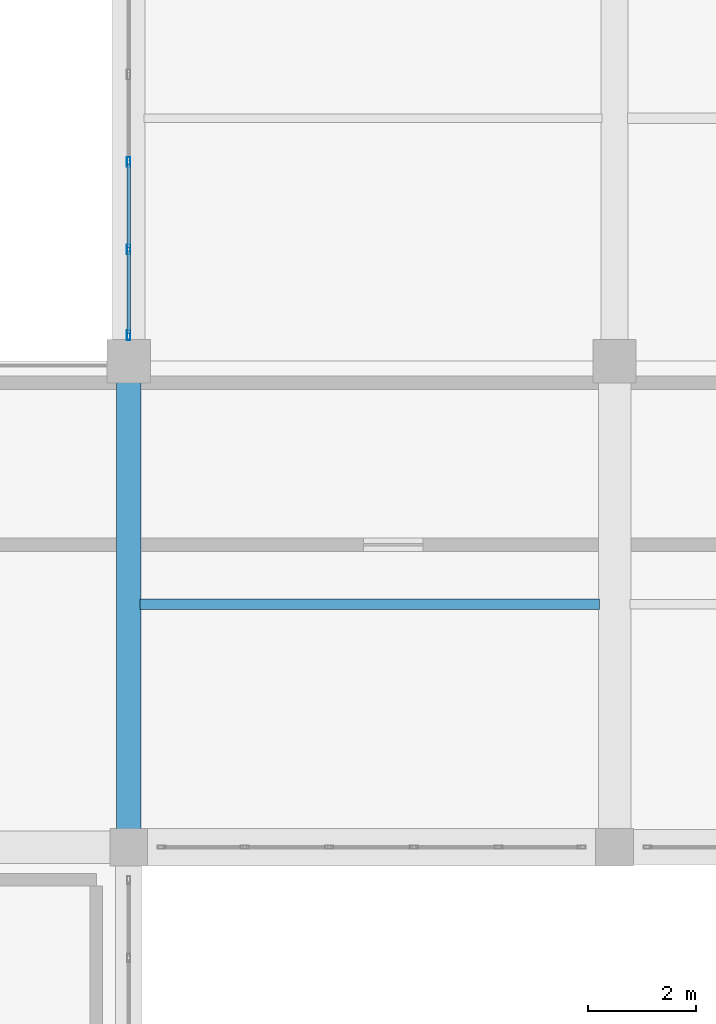
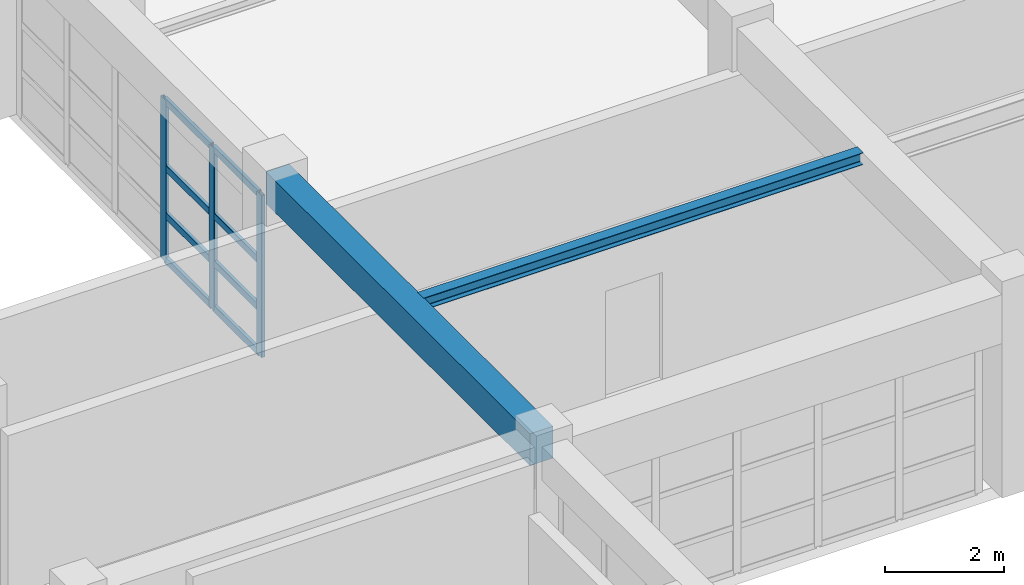
# One storey, part 38 of 133: 11 members, 2 beams, 1 element without a shape of its own.
"""IFC4 building model written with IfcOpenShell, lengths in metres."""

import ifcopenshell
import ifcopenshell.guid

model = None  # the IFC model being written
_history = None  # IfcOwnerHistory: only IFC2X3 demands one
_inside = {}  # id of a spatial element -> (the spatial element, [elements in it])
_under = {}  # id of a project, library or spatial element -> (it, [spatial elements below it])
_declared = {}  # id of a project -> (the project, [libraries it declares])
_typed = {}  # id of a type object -> (the type object, [elements of that type])
_made_of = {}  # id of a material, layer set ... -> (it, [elements and type objects made of it])


def new_model(schema):
    """Start an empty IFC model of exactly this schema.

    Asked for "IFC4X3", IfcOpenShell would pick the latest addendum, in which some entities
    have other attributes; the version numbers below select the first issue.
    IFC2X3 requires an IfcOwnerHistory on every rooted entity: one is made here for all.
    """
    global model, _history
    if schema == "IFC4X3":
        model = ifcopenshell.file(schema_version=(4, 3, 0, 0))
    else:
        model = ifcopenshell.file(schema=schema)
    _inside.clear()
    _under.clear()
    _declared.clear()
    _typed.clear()
    _made_of.clear()
    _history = None
    if model.schema == "IFC2X3":
        org = make("IfcOrganization", Name="unknown")
        user = make(
            "IfcPersonAndOrganization",
            ThePerson=make("IfcPerson", FamilyName="unknown"),
            TheOrganization=org,
        )
        app = make(
            "IfcApplication",
            ApplicationDeveloper=org,
            Version="unknown",
            ApplicationFullName="unknown",
            ApplicationIdentifier="unknown",
        )
        _history = make(
            "IfcOwnerHistory",
            OwningUser=user,
            OwningApplication=app,
            ChangeAction="ADDED",
            CreationDate=0,
        )
    return model


def make(cls, **values):
    """One entity of the class cls with the attributes given. An attribute that is None is left unset."""
    return model.create_entity(
        cls, **{name: value for name, value in values.items() if value is not None}
    )


def rooted(cls, **values):
    """An entity with a GlobalId (a new one), such as an element, a storey or a relation."""
    return make(cls, GlobalId=ifcopenshell.guid.new(), OwnerHistory=_history, **values)


def si_unit(unit_type, name, prefix=None):
    """IfcSIUnit, for example si_unit("LENGTHUNIT", "METRE", prefix="MILLI")."""
    return make("IfcSIUnit", UnitType=unit_type, Prefix=prefix, Name=name)


def assignment(units):
    """IfcUnitAssignment: the units of a project."""
    return None if units is None else make("IfcUnitAssignment", Units=units)


def point(xyz):
    """IfcCartesianPoint."""
    return None if xyz is None else make("IfcCartesianPoint", Coordinates=xyz)


def direction(xyz):
    """IfcDirection."""
    return None if xyz is None else make("IfcDirection", DirectionRatios=xyz)


def frame(location, z_axis=None, x_axis=None):
    """IfcAxis2Placement3D, a coordinate frame: its origin and axes. An axis left out is left unset."""
    return make(
        "IfcAxis2Placement3D",
        Location=point(location),
        Axis=direction(z_axis),
        RefDirection=direction(x_axis),
    )


def frame_2d(location, x_axis=None):
    """IfcAxis2Placement2D, a coordinate frame in the plane: its origin and x axis."""
    return make(
        "IfcAxis2Placement2D", Location=point(location), RefDirection=direction(x_axis)
    )


def origin():
    """The frame at (0, 0, 0) with its axes left unset."""
    return frame((0.0, 0.0, 0.0))


def origin_2d():
    """The frame at (0, 0) in the plane with its x axis left unset."""
    return frame_2d((0.0, 0.0))


def place(relative_to, where):
    """IfcLocalPlacement: puts the frame where relative to a parent placement (None: the world)."""
    return make(
        "IfcLocalPlacement", PlacementRelTo=relative_to, RelativePlacement=where
    )


def context(
    kind, dimensions, precision=None, world=None, true_north=None, identifier=None
):
    """IfcGeometricRepresentationContext, for example the 3D "Model" context."""
    return make(
        "IfcGeometricRepresentationContext",
        ContextIdentifier=identifier,
        ContextType=kind,
        CoordinateSpaceDimension=dimensions,
        Precision=precision,
        WorldCoordinateSystem=world,
        TrueNorth=true_north,
    )


def subcontext(parent, identifier, kind, view, scale=None):
    """IfcGeometricRepresentationSubContext, for example "Body" below "Model"."""
    return make(
        "IfcGeometricRepresentationSubContext",
        ContextIdentifier=identifier,
        ContextType=kind,
        ParentContext=parent,
        TargetScale=scale,
        TargetView=view,
    )


def project(units=None, contexts=None):
    """IfcProject with its units and contexts."""
    return rooted(
        "IfcProject",
        Name="project",
        RepresentationContexts=contexts,
        UnitsInContext=assignment(units),
    )


def spatial(cls, under=None, at=None, **own):
    """A site, building, storey or space (cls), placed at a placement, below another one or the project."""
    s = rooted(cls, ObjectPlacement=at, **own)
    if under is not None:
        _under.setdefault(under.id(), (under, []))[1].append(s)
    return s


def profile(cls, at=None, kind="AREA", **sizes):
    """A parametric profile (cls). Its sizes go by their IFC names, for example OverallWidth=200.0."""
    return make(cls, ProfileType=kind, Position=at, **sizes)


def rectangle(**sizes):
    """IfcRectangleProfileDef."""
    return profile("IfcRectangleProfileDef", **sizes)


def hollow_rectangle(**sizes):
    """IfcRectangleHollowProfileDef."""
    return profile("IfcRectangleHollowProfileDef", **sizes)


def i_section(**sizes):
    """IfcIShapeProfileDef."""
    return profile("IfcIShapeProfileDef", **sizes)


def extrude(swept, where, along, depth):
    """IfcExtrudedAreaSolid: the profile swept, set in the frame where, extruded along a direction by depth."""
    return make(
        "IfcExtrudedAreaSolid",
        SweptArea=swept,
        Position=where,
        ExtrudedDirection=direction(along),
        Depth=depth,
    )


def shape(context_of_items, identifier, shape_type, items):
    """IfcShapeRepresentation: the items that make up one representation, for example the "Body"."""
    return make(
        "IfcShapeRepresentation",
        ContextOfItems=context_of_items,
        RepresentationIdentifier=identifier,
        RepresentationType=shape_type,
        Items=items,
    )


def material(Name=None, Category=None):
    """IfcMaterial."""
    return make("IfcMaterial", Name=Name, Category=Category)


def material_profile(
    of_material, cross_section, Name=None, Category=None, Priority=None
):
    """IfcMaterialProfile: a cross section and its material."""
    return make(
        "IfcMaterialProfile",
        Name=Name,
        Material=of_material,
        Profile=cross_section,
        Priority=Priority,
        Category=Category,
    )


def profile_set(profiles, Name=None, composite=None):
    """IfcMaterialProfileSet."""
    return make(
        "IfcMaterialProfileSet",
        Name=Name,
        MaterialProfiles=profiles,
        CompositeProfile=composite,
    )


def made_of(thing, what):
    """Note that an element or type object is made of a material, layer set ...; save() writes the relation."""
    if what is not None:
        _made_of.setdefault(what.id(), (what, []))[1].append(thing)
    return thing


def type_object(cls, material=None, **own):
    """A type object (cls), such as IfcWallType, which elements share."""
    return made_of(rooted(cls, **own), material)


def element(
    cls,
    number,
    at=None,
    inside=None,
    cuts=None,
    type_object=None,
    material=None,
    context=None,
    identifier="Body",
    shape_type=None,
    held_by="IfcProductDefinitionShape",
    body=None,
    shapes=None,
    **own,
):
    """One element of the class cls, such as IfcWall. Its Tag is "e" and its number.

    at: its placement. inside: the storey or other place that contains it. cuts: it is an
    opening in that element (IfcRelVoidsElement). A single representation is given by context,
    identifier, shape_type and body (its items); several are given by shapes. held_by: the class
    of the entity that holds the representations. save() writes the other relations.
    """
    e = rooted(cls, Tag="e%d" % number, ObjectPlacement=at, **own)
    if body is not None:
        shapes = [shape(context, identifier, shape_type, body)]
    if shapes is not None:
        e.Representation = make(held_by, Representations=shapes)
    if inside is not None:
        _inside.setdefault(inside.id(), (inside, []))[1].append(e)
    if cuts is not None:
        rooted(
            "IfcRelVoidsElement", RelatingBuildingElement=cuts, RelatedOpeningElement=e
        )
    if type_object is not None:
        _typed.setdefault(type_object.id(), (type_object, []))[1].append(e)
    return made_of(e, material)


def aggregate(whole, parts):
    """IfcRelAggregates: a whole, such as a stair, and the parts it consists of."""
    return rooted("IfcRelAggregates", RelatingObject=whole, RelatedObjects=parts)


def save(model, path):
    """Write the relations noted so far, then the file.

    IfcRelAggregates (storeys below a building ...), IfcRelContainedInSpatialStructure (elements
    in a storey), IfcRelDefinesByType, IfcRelAssociatesMaterial and IfcRelDeclares: one each for
    every whole, place, type object, material and project.
    """
    for whole, parts in _under.values():
        aggregate(whole, parts)
    for where, things in _inside.values():
        rooted(
            "IfcRelContainedInSpatialStructure",
            RelatedElements=things,
            RelatingStructure=where,
        )
    for kind, things in _typed.values():
        rooted("IfcRelDefinesByType", RelatedObjects=things, RelatingType=kind)
    for what, things in _made_of.values():
        rooted("IfcRelAssociatesMaterial", RelatedObjects=things, RelatingMaterial=what)
    for by, libraries in _declared.values():
        rooted("IfcRelDeclares", RelatingContext=by, RelatedDefinitions=libraries)
    model.write(path)


model = new_model("IFC4")

# Units and contexts
model_context = context("Model", 3, precision=1e-05, world=origin(), true_north=direction((0.0, 1.0)))
body_context = subcontext(model_context, "Body", "Model", "MODEL_VIEW")
ifc_project = project(units=[si_unit("LENGTHUNIT", "METRE"), si_unit("AREAUNIT", "SQUARE_METRE"), si_unit("VOLUMEUNIT", "CUBIC_METRE"), si_unit("PLANEANGLEUNIT", "RADIAN"), si_unit("MASSUNIT", "GRAM", prefix="KILO")], contexts=[model_context])

# Site, building, storey
site_placement = place(None, origin())
site = spatial("IfcSite", under=ifc_project, at=site_placement, CompositionType="ELEMENT")
building_placement = place(site_placement, origin())
building = spatial("IfcBuilding", under=site, at=building_placement, Name="Miravela Opera House", CompositionType="ELEMENT")
storey_placement = place(building_placement, frame((0.0, 0.0, 5.10009765625)))
storey = spatial("IfcBuildingStorey", under=building, at=storey_placement, Name="L01", CompositionType="ELEMENT", Elevation=5.10009765625)

# Curtain wall, members
ifc_material_1 = material(Name="Anodised architectural bronze aluminium 6063-T6", Category="aluminium")
curtain_wall_type = type_object("IfcCurtainWallType", Name="ARC-CW-01", PredefinedType="NOTDEFINED", material=ifc_material_1)
curtain_wall_placement = place(storey_placement, origin())
curtain_wall = element("IfcCurtainWall", 1, at=curtain_wall_placement, inside=storey, type_object=curtain_wall_type, Name="West Foyer Upper Recessed Glazing CW-L01-003", PredefinedType="NOTDEFINED")
ifc_material_profile_1 = material_profile(ifc_material_1, hollow_rectangle(XDim=0.06494140625, YDim=0.179931640625, WallThickness=0.00390625, InnerFilletRadius=0.001953125, OuterFilletRadius=0.00390625, at=origin_2d()), Name="CWM-65X180")
ifc_profile_set_1 = profile_set([ifc_material_profile_1])
member_type_1 = type_object("IfcMemberType", Name="ARC-CWM-180", PredefinedType="MULLION", material=ifc_profile_set_1)
member_1_placement = place(storey_placement, frame((27.0, 37.482421875, 0.0), z_axis=(0.0, 0.0, 1.0), x_axis=(-1.0, 0.0, 0.0)))
member_1 = element("IfcMember", 2, at=member_1_placement, type_object=member_type_1, Name="CW-01 mullion 1", PredefinedType="MULLION", context=body_context, shape_type="SweptSolid", body=[
    extrude(hollow_rectangle(XDim=0.06494140625, YDim=0.179931640625, WallThickness=0.00390625, InnerFilletRadius=0.001953125, OuterFilletRadius=0.00390625, at=origin_2d()), origin(), (0.0, 0.0, 1.0), 3.309814453125),
])
member_2_placement = place(storey_placement, frame((27.0, 39.070068359375, 0.0), z_axis=(0.0, 0.0, 1.0), x_axis=(-1.0, 0.0, 0.0)))
member_2 = element("IfcMember", 3, at=member_2_placement, type_object=member_type_1, Name="CW-01 mullion 2", PredefinedType="MULLION", context=body_context, shape_type="SweptSolid", body=[
    extrude(hollow_rectangle(XDim=0.06494140625, YDim=0.179931640625, WallThickness=0.00390625, InnerFilletRadius=0.001953125, OuterFilletRadius=0.00390625, at=origin_2d()), origin(), (0.0, 0.0, 1.0), 3.309814453125),
])
member_3_placement = place(storey_placement, frame((27.0, 40.68994140625, 0.0), z_axis=(0.0, 0.0, 1.0), x_axis=(-1.0, 0.0, 0.0)))
member_3 = element("IfcMember", 4, at=member_3_placement, type_object=member_type_1, Name="CW-01 mullion 3", PredefinedType="MULLION", context=body_context, shape_type="SweptSolid", body=[
    extrude(hollow_rectangle(XDim=0.06494140625, YDim=0.179931640625, WallThickness=0.00390625, InnerFilletRadius=0.001953125, OuterFilletRadius=0.00390625, at=origin_2d()), origin(), (0.0, 0.0, 1.0), 3.309814453125),
])
ifc_material_profile_2 = material_profile(ifc_material_1, hollow_rectangle(XDim=0.06494140625, YDim=0.139892578125, WallThickness=0.00390625, InnerFilletRadius=0.001953125, OuterFilletRadius=0.00390625, at=origin_2d()), Name="CWT-65X140")
ifc_profile_set_2 = profile_set([ifc_material_profile_2])
member_type_2 = type_object("IfcMemberType", Name="ARC-CWT-140", PredefinedType="USERDEFINED", material=ifc_profile_set_2)
member_4_placement = place(storey_placement, frame((27.0, 37.514892578125, 0.032470703125), z_axis=(0.0, 1.0, 0.0), x_axis=(-1.0, 0.0, 0.0)))
member_4 = element("IfcMember", 5, at=member_4_placement, type_object=member_type_2, Name="CW-01 transom 1.1", ObjectType="TRANSOM", PredefinedType="USERDEFINED", context=body_context, shape_type="SweptSolid", body=[
    extrude(hollow_rectangle(XDim=0.06494140625, YDim=0.139892578125, WallThickness=0.00390625, InnerFilletRadius=0.001953125, OuterFilletRadius=0.00390625, at=origin_2d()), origin(), (0.0, 0.0, 1.0), 1.522705078125),
])
member_5_placement = place(storey_placement, frame((27.0, 37.514892578125, 0.949951171875), z_axis=(0.0, 1.0, 0.0), x_axis=(-1.0, 0.0, 0.0)))
member_5 = element("IfcMember", 6, at=member_5_placement, type_object=member_type_2, Name="CW-01 transom 1.2", ObjectType="TRANSOM", PredefinedType="USERDEFINED", context=body_context, shape_type="SweptSolid", body=[
    extrude(hollow_rectangle(XDim=0.06494140625, YDim=0.139892578125, WallThickness=0.00390625, InnerFilletRadius=0.001953125, OuterFilletRadius=0.00390625, at=origin_2d()), origin(), (0.0, 0.0, 1.0), 1.522705078125),
])
member_6_placement = place(storey_placement, frame((27.0, 37.514892578125, 1.919677734375), z_axis=(0.0, 1.0, 0.0), x_axis=(-1.0, 0.0, 0.0)))
member_6 = element("IfcMember", 7, at=member_6_placement, type_object=member_type_2, Name="CW-01 transom 1.3", ObjectType="TRANSOM", PredefinedType="USERDEFINED", context=body_context, shape_type="SweptSolid", body=[
    extrude(hollow_rectangle(XDim=0.06494140625, YDim=0.139892578125, WallThickness=0.00390625, InnerFilletRadius=0.001953125, OuterFilletRadius=0.00390625, at=origin_2d()), origin(), (0.0, 0.0, 1.0), 1.522705078125),
])
member_7_placement = place(storey_placement, frame((27.0, 37.514892578125, 3.27734375), z_axis=(0.0, 1.0, 0.0), x_axis=(-1.0, 0.0, 0.0)))
member_7 = element("IfcMember", 8, at=member_7_placement, type_object=member_type_2, Name="CW-01 transom 1.4", ObjectType="TRANSOM", PredefinedType="USERDEFINED", context=body_context, shape_type="SweptSolid", body=[
    extrude(hollow_rectangle(XDim=0.06494140625, YDim=0.139892578125, WallThickness=0.00390625, InnerFilletRadius=0.001953125, OuterFilletRadius=0.00390625, at=origin_2d()), origin(), (0.0, 0.0, 1.0), 1.522705078125),
])
member_8_placement = place(storey_placement, frame((27.0, 39.1025390625, 0.032470703125), z_axis=(0.0, 1.0, 0.0), x_axis=(-1.0, 0.0, 0.0)))
member_8 = element("IfcMember", 9, at=member_8_placement, type_object=member_type_2, Name="CW-01 transom 2.1", ObjectType="TRANSOM", PredefinedType="USERDEFINED", context=body_context, shape_type="SweptSolid", body=[
    extrude(hollow_rectangle(XDim=0.06494140625, YDim=0.139892578125, WallThickness=0.00390625, InnerFilletRadius=0.001953125, OuterFilletRadius=0.00390625, at=origin_2d()), origin(), (0.0, 0.0, 1.0), 1.554931640625),
])
member_9_placement = place(storey_placement, frame((27.0, 39.1025390625, 0.949951171875), z_axis=(0.0, 1.0, 0.0), x_axis=(-1.0, 0.0, 0.0)))
member_9 = element("IfcMember", 10, at=member_9_placement, type_object=member_type_2, Name="CW-01 transom 2.2", ObjectType="TRANSOM", PredefinedType="USERDEFINED", context=body_context, shape_type="SweptSolid", body=[
    extrude(hollow_rectangle(XDim=0.06494140625, YDim=0.139892578125, WallThickness=0.00390625, InnerFilletRadius=0.001953125, OuterFilletRadius=0.00390625, at=origin_2d()), origin(), (0.0, 0.0, 1.0), 1.554931640625),
])
member_10_placement = place(storey_placement, frame((27.0, 39.1025390625, 1.919677734375), z_axis=(0.0, 1.0, 0.0), x_axis=(-1.0, 0.0, 0.0)))
member_10 = element("IfcMember", 11, at=member_10_placement, type_object=member_type_2, Name="CW-01 transom 2.3", ObjectType="TRANSOM", PredefinedType="USERDEFINED", context=body_context, shape_type="SweptSolid", body=[
    extrude(hollow_rectangle(XDim=0.06494140625, YDim=0.139892578125, WallThickness=0.00390625, InnerFilletRadius=0.001953125, OuterFilletRadius=0.00390625, at=origin_2d()), origin(), (0.0, 0.0, 1.0), 1.554931640625),
])
member_11_placement = place(storey_placement, frame((27.0, 39.1025390625, 3.27734375), z_axis=(0.0, 1.0, 0.0), x_axis=(-1.0, 0.0, 0.0)))
member_11 = element("IfcMember", 12, at=member_11_placement, type_object=member_type_2, Name="CW-01 transom 2.4", ObjectType="TRANSOM", PredefinedType="USERDEFINED", context=body_context, shape_type="SweptSolid", body=[
    extrude(hollow_rectangle(XDim=0.06494140625, YDim=0.139892578125, WallThickness=0.00390625, InnerFilletRadius=0.001953125, OuterFilletRadius=0.00390625, at=origin_2d()), origin(), (0.0, 0.0, 1.0), 1.554931640625),
])
aggregate(curtain_wall, [member_1, member_2, member_3, member_4, member_5, member_6, member_7, member_8, member_9, member_10, member_11])

# Beams
ifc_material_2 = material(Name="Concrete C35/45", Category="concrete")
ifc_material_profile_3 = material_profile(ifc_material_2, rectangle(XDim=0.449951171875, YDim=0.64990234375, at=origin_2d()), Name="RC-BM-450X650")
ifc_profile_set_3 = profile_set([ifc_material_profile_3])
beam_type_1 = type_object("IfcBeamType", Name="STR-BM-RC450X650", PredefinedType="BEAM", material=ifc_profile_set_3)
beam_1_placement = place(storey_placement, frame((27.0, 28.080078125, 3.8349609375), z_axis=(0.0, 1.0, 0.0), x_axis=(-1.0, 0.0, 0.0)))
element("IfcBeam", 13, at=beam_1_placement, inside=storey, type_object=beam_type_1, Name="Floor Girder L01 4/D-E", PredefinedType="BEAM", context=body_context, shape_type="SweptSolid", body=[
    extrude(rectangle(XDim=0.449951171875, YDim=0.64990234375, at=origin_2d()), origin(), (0.0, 0.0, 1.0), 8.83984375),
])
ifc_material_3 = material(Name="Structural steel ASTM A992 Gr. 50", Category="steel")
ifc_material_profile_4 = material_profile(ifc_material_3, i_section(OverallWidth=0.201904296875, OverallDepth=0.2470703125, WebThickness=0.00732421875, FlangeThickness=0.010986328125, FilletRadius=0.011962890625, at=origin_2d()), Name="W250X49")
ifc_profile_set_4 = profile_set([ifc_material_profile_4])
beam_type_2 = type_object("IfcBeamType", Name="STR-BM-W250X49", PredefinedType="LINTEL", material=ifc_profile_set_4)
beam_2_placement = place(storey_placement, frame((27.2099609375, 32.5, 4.036376953125), z_axis=(1.0, 0.0, 0.0), x_axis=(0.0, 1.0, 0.0)))
element("IfcBeam", 14, at=beam_2_placement, inside=storey, type_object=beam_type_2, Name="Secondary Floor Joist L01 4-5/D-E", PredefinedType="LINTEL", context=body_context, shape_type="SweptSolid", body=[
    extrude(i_section(OverallWidth=0.201904296875, OverallDepth=0.2470703125, WebThickness=0.00732421875, FlangeThickness=0.010986328125, FilletRadius=0.011962890625, at=origin_2d()), origin(), (0.0, 0.0, 1.0), 8.505126953125),
])

save(model, "model.ifc")
